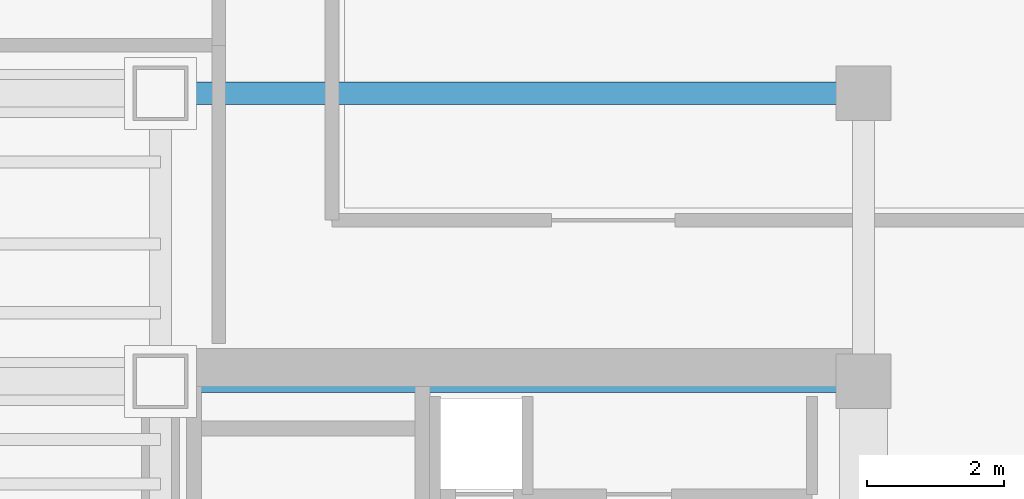
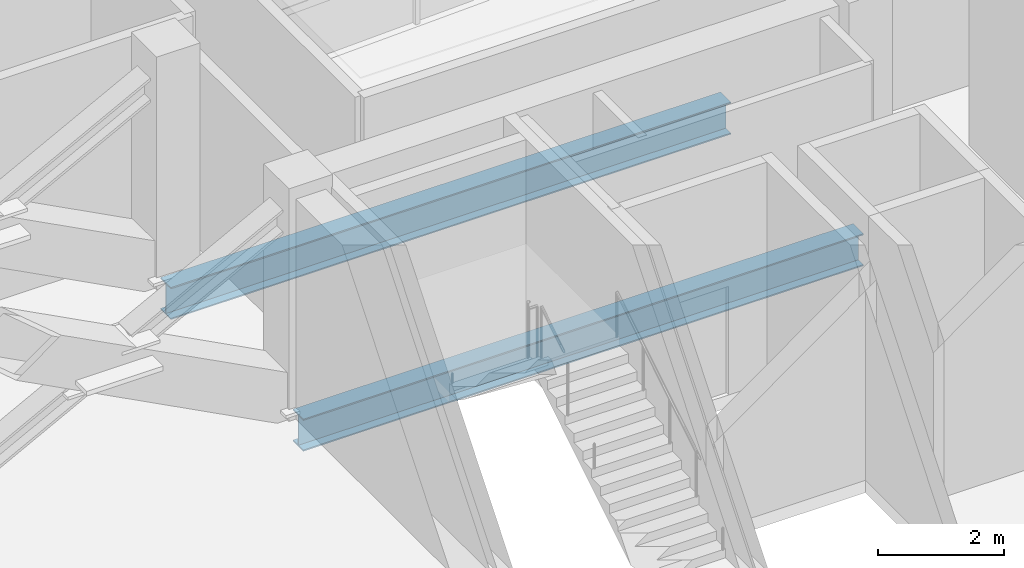
# One storey, part 9 of 19: 2 beams.
"""IFC4 building model written with IfcOpenShell, lengths in metres."""

from ifc_helpers import new_model, si_unit, direction, frame, origin, origin_2d, place, context, subcontext, project, spatial, i_section, extrude, source, transform, mapped, material, material_profile, profile_set, type_object, element, save


model = new_model("IFC4")

# Units and contexts
model_context = context("Model", 3, precision=1e-05, world=origin(), true_north=direction((0.0, 1.0)))
body_context = subcontext(model_context, "Body", "Model", "MODEL_VIEW")
ifc_project = project(units=[si_unit("LENGTHUNIT", "METRE"), si_unit("AREAUNIT", "SQUARE_METRE"), si_unit("VOLUMEUNIT", "CUBIC_METRE"), si_unit("PLANEANGLEUNIT", "RADIAN"), si_unit("MASSUNIT", "GRAM", prefix="KILO")], contexts=[model_context])

# Site, building, storey
site_placement = place(None, origin())
site = spatial("IfcSite", under=ifc_project, at=site_placement, CompositionType="ELEMENT")
building_placement = place(site_placement, origin())
building = spatial("IfcBuilding", under=site, at=building_placement, Name="Valdorenza Pilgrim Sanctuary Tower", CompositionType="ELEMENT")
storey_placement = place(building_placement, frame((0.0, 0.0, 261.5)))
storey = spatial("IfcBuildingStorey", under=building, at=storey_placement, Name="L68", CompositionType="ELEMENT", Elevation=261.5)

# Beams
ifc_material = material(Name="Steel ASTM A992 Grade 50", Category="steel")
ifc_material_profile = material_profile(ifc_material, i_section(OverallWidth=0.326904296875, OverallDepth=0.6220703125, WebThickness=0.015380859375, FlangeThickness=0.0244140625, at=origin_2d()), Name="W24X131")
ifc_profile_set = profile_set([ifc_material_profile], Name="Steel ASTM A992 Grade 50")
beam_type = type_object("IfcBeamType", Name="STR-BM-GRD-W24A", PredefinedType="BEAM", material=ifc_profile_set)
shared_shape = source(origin(), body_context, "Body", "SweptSolid", [
    extrude(i_section(OverallWidth=0.326904296875, OverallDepth=0.6220703125, WebThickness=0.015380859375, FlangeThickness=0.0244140625, at=origin_2d()), origin(), (0.0, 0.0, 1.0), 10.25),
])
for number, where, z_axis, x_axis, name in (
    (1, (-22.64990234375, 10.60009765625, -0.551025390625), (1.0, 0.0, 0.0), (0.0, 1.0, 0.0), "L68 Floor Girder CA-XC-N1"),
    (2, (-22.64990234375, 14.800048828125, -0.551025390625), (1.0, 0.0, 0.0), (0.0, 1.0, 0.0), "L68 Floor Girder CA-XC-N2"),
):
    element("IfcBeam", number, at=place(storey_placement, frame(where, z_axis=z_axis, x_axis=x_axis)), inside=storey, type_object=beam_type, Name=name, PredefinedType="BEAM", context=body_context, shape_type="MappedRepresentation", body=[
        mapped(shared_shape, transform((0.0, 0.0, 0.0), x_axis=(1.0, 0.0, 0.0), y_axis=(0.0, 1.0, 0.0), z_axis=(0.0, 0.0, 1.0), scale=1.0)),
    ])

save(model, "model.ifc")
